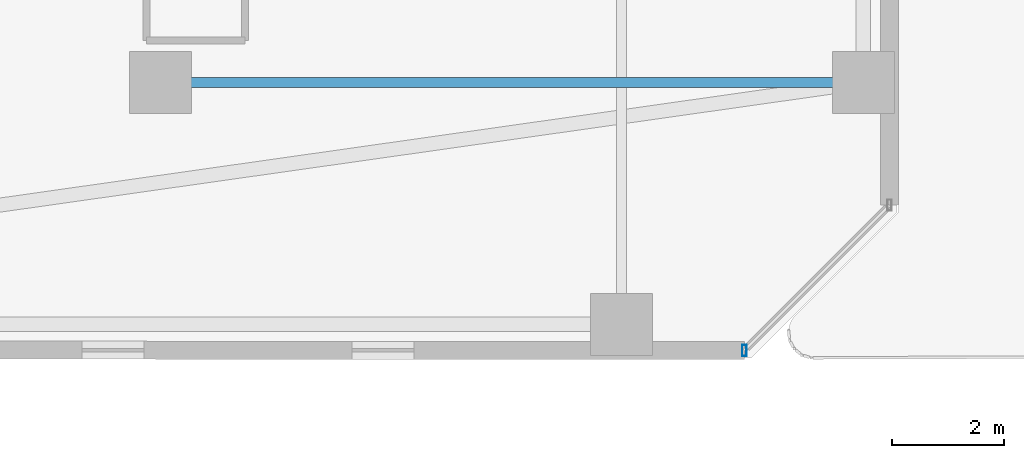
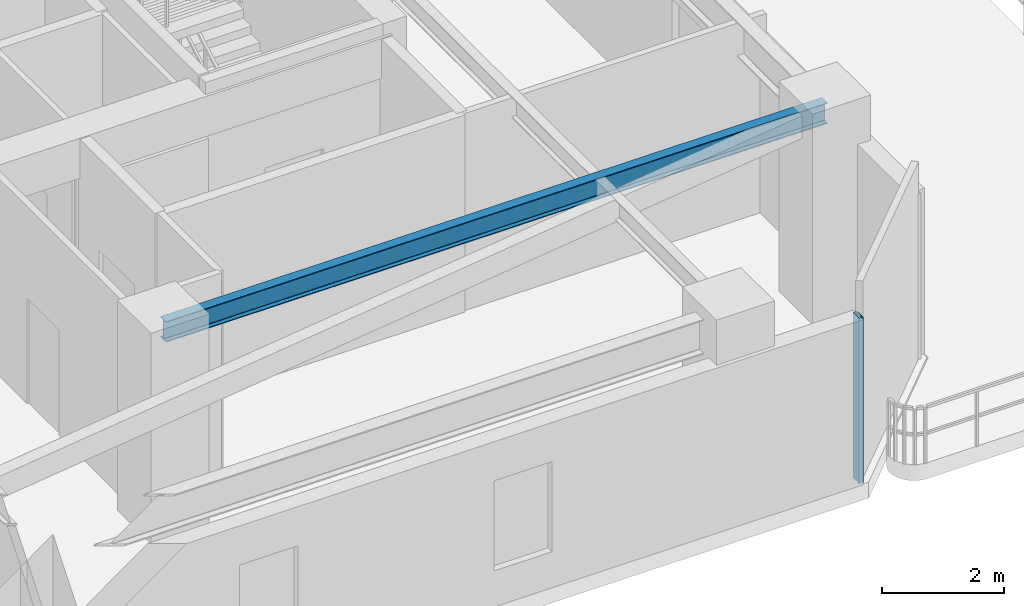
# One storey, part 13 of 33: 1 beam, 1 member, 1 element without a shape of its own.
"""IFC4 building model written with IfcOpenShell, lengths in metres."""

from ifc_helpers import new_model, si_unit, direction, frame, origin, origin_2d, place, context, subcontext, project, spatial, hollow_rectangle, i_section, extrude, material, material_profile, profile_set, type_object, element, aggregate, save


model = new_model("IFC4")

# Units and contexts
model_context = context("Model", 3, precision=1e-05, world=origin(), true_north=direction((0.0, 1.0)))
body_context = subcontext(model_context, "Body", "Model", "MODEL_VIEW")
ifc_project = project(units=[si_unit("LENGTHUNIT", "METRE"), si_unit("AREAUNIT", "SQUARE_METRE"), si_unit("VOLUMEUNIT", "CUBIC_METRE"), si_unit("PLANEANGLEUNIT", "RADIAN"), si_unit("MASSUNIT", "GRAM", prefix="KILO")], contexts=[model_context])

# Site, building, storey
site_placement = place(None, origin())
site = spatial("IfcSite", under=ifc_project, at=site_placement, CompositionType="ELEMENT")
building_placement = place(site_placement, origin())
building = spatial("IfcBuilding", under=site, at=building_placement, Name="Thornwick Lancets Civic Towers", CompositionType="ELEMENT")
storey_placement = place(building_placement, frame((0.0, 0.0, 174.300048828125)))
storey = spatial("IfcBuildingStorey", under=building, at=storey_placement, Name="L46", CompositionType="ELEMENT", Elevation=174.300048828125)

# Beam
ifc_material_1 = material(Name="Steel S355JR", Category="steel")
ifc_material_profile_1 = material_profile(ifc_material_1, i_section(OverallWidth=0.179443359375, OverallDepth=0.412841796875, WebThickness=0.009521484375, FlangeThickness=0.01611328125, FilletRadius=0.01025390625, at=origin_2d()), Name="UKB 406x178x74")
ifc_profile_set_1 = profile_set([ifc_material_profile_1], Name="Steel S355JR")
beam_type = type_object("IfcBeamType", Name="BM_JOIST_406_74", PredefinedType="JOIST", material=ifc_profile_set_1)
beam_placement = place(storey_placement, frame((93.300048828125, 14.0, 3.753662109375), z_axis=(1.0, 0.0, 0.0), x_axis=(0.0, 1.0, 0.0)))
element("IfcBeam", 1, at=beam_placement, inside=storey, type_object=beam_type, Name="BM-RADIN-L46-B01", PredefinedType="JOIST", context=body_context, shape_type="SweptSolid", body=[
    extrude(i_section(OverallWidth=0.179443359375, OverallDepth=0.412841796875, WebThickness=0.009521484375, FlangeThickness=0.01611328125, FilletRadius=0.01025390625, at=origin_2d()), origin(), (0.0, 0.0, 1.0), 12.5),
])

# Curtain wall, member
ifc_material_2 = material(Name="Mid-zone chamfered-corner unitised glass curtain wall", Category="glass")
curtain_wall_type = type_object("IfcCurtainWallType", Name="CW_SYS_04", PredefinedType="NOTDEFINED", material=ifc_material_2)
curtain_wall_placement = place(storey_placement, origin())
curtain_wall = element("IfcCurtainWall", 2, at=curtain_wall_placement, inside=storey, type_object=curtain_wall_type, Name="L46 Curtain Wall CW-L46-B-E1", PredefinedType="NOTDEFINED")
ifc_material_3 = material(Name="Thermally broken bronze aluminium S355", Category="steel")
ifc_material_profile_2 = material_profile(ifc_material_3, hollow_rectangle(XDim=0.080078125, YDim=0.199951171875, WallThickness=0.006103515625, at=origin_2d()), Name="RHS 200x80x6")
ifc_profile_set_2 = profile_set([ifc_material_profile_2], Name="Thermally broken bronze aluminium S355")
member_type = type_object("IfcMemberType", Name="CW_MUL_200", PredefinedType="MULLION", material=ifc_profile_set_2)
member_placement = place(storey_placement, frame((103.681396484375, 9.2353515625, 0.0), z_axis=(0.0, 0.0, 1.0), x_axis=(1.0, 0.0, 0.0)))
member = element("IfcMember", 3, at=member_placement, type_object=member_type, Name="CW-L46-B-E1 Mullion 0", PredefinedType="MULLION", context=body_context, shape_type="SweptSolid", body=[
    extrude(hollow_rectangle(XDim=0.080078125, YDim=0.199951171875, WallThickness=0.006103515625, at=origin_2d()), origin(), (0.0, 0.0, 1.0), 3.300048828125),
])
aggregate(curtain_wall, [member])

save(model, "model.ifc")
